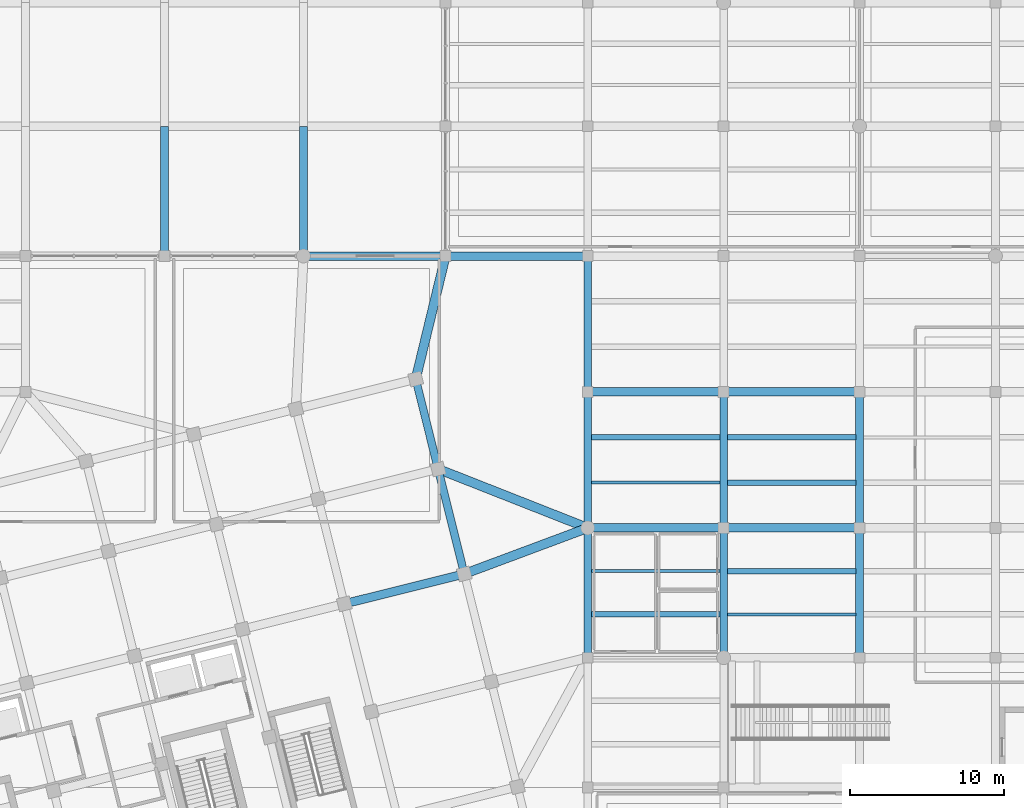
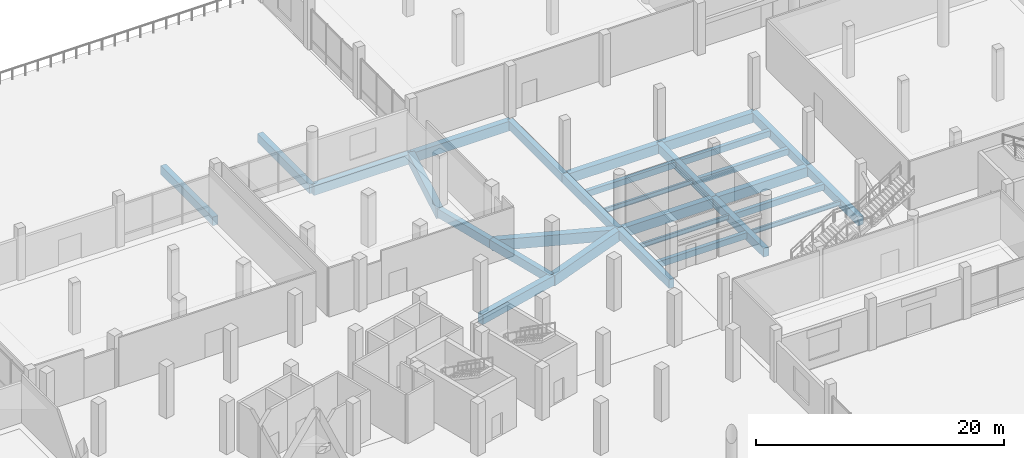
# One storey, part 34 of 73: 29 beams.
"""IFC4 building model written with IfcOpenShell, lengths in metres."""

from ifc_helpers import new_model, si_unit, direction, frame, origin, origin_2d, place, context, subcontext, project, spatial, rectangle, i_section, extrude, material, material_profile, profile_set, type_object, element, save


model = new_model("IFC4")

# Units and contexts
model_context = context("Model", 3, precision=1e-05, world=origin(), true_north=direction((0.0, 1.0)))
body_context = subcontext(model_context, "Body", "Model", "MODEL_VIEW")
ifc_project = project(units=[si_unit("LENGTHUNIT", "METRE"), si_unit("AREAUNIT", "SQUARE_METRE"), si_unit("VOLUMEUNIT", "CUBIC_METRE"), si_unit("PLANEANGLEUNIT", "RADIAN"), si_unit("MASSUNIT", "GRAM", prefix="KILO")], contexts=[model_context])

# Site, building, storey
site_placement = place(None, origin())
site = spatial("IfcSite", under=ifc_project, at=site_placement, CompositionType="ELEMENT")
building_placement = place(site_placement, origin())
building = spatial("IfcBuilding", under=site, at=building_placement, Name="Meriwether Solvik Hall", CompositionType="ELEMENT")
storey_placement = place(building_placement, origin())
storey = spatial("IfcBuildingStorey", under=building, at=storey_placement, Name="L00", CompositionType="ELEMENT", Elevation=0.0)

# Beams
ifc_material_1 = material(Name="Concrete C40/50", Category="concrete")
ifc_material_profile_1 = material_profile(ifc_material_1, rectangle(XDim=0.35009765625, YDim=0.60009765625, at=origin_2d()), Name="RCB-350X600")
ifc_profile_set_1 = profile_set([ifc_material_profile_1], Name="Concrete C40/50")
beam_type_1 = type_object("IfcBeamType", Name="BM-RC-350X600", PredefinedType="JOIST", material=ifc_profile_set_1)
for number, where, z_axis, x_axis, name in (
    (1, (114.445068359375, 69.60009765625, -0.659912109375), (1.0, 0.0, 0.0), (0.0, 1.0, 0.0), "Secondary Floor Joist 13/H_J1 (L00)"),
    (2, (114.445068359375, 81.066650390625, -0.659912109375), (1.0, 0.0, 0.0), (0.0, 1.0, 0.0), "Secondary Floor Joist 13/I_J2 (L00)"),
    (3, (123.2451171875, 72.39990234375, -0.659912109375), (1.0, 0.0, 0.0), (0.0, 1.0, 0.0), "Secondary Floor Joist 14/H_J2 (L00)"),
    (4, (123.2451171875, 78.13330078125, -0.659912109375), (1.0, 0.0, 0.0), (0.0, 1.0, 0.0), "Secondary Floor Joist 14/I_J1 (L00)"),
    (5, (123.2451171875, 81.066650390625, -0.659912109375), (1.0, 0.0, 0.0), (0.0, 1.0, 0.0), "Secondary Floor Joist 14/I_J2 (L00)"),
):
    element("IfcBeam", number, at=place(storey_placement, frame(where, z_axis=z_axis, x_axis=x_axis)), inside=storey, type_object=beam_type_1, Name=name, PredefinedType="JOIST", context=body_context, shape_type="SweptSolid", body=[
        extrude(rectangle(XDim=0.35009765625, YDim=0.60009765625, at=origin_2d()), origin(), (0.0, 0.0, 1.0), 8.309814453125),
    ])
ifc_material_2 = material(Name="Concrete C40/50", Category="concrete")
ifc_material_profile_2 = material_profile(ifc_material_2, rectangle(XDim=0.5, YDim=0.85009765625, at=origin_2d()), Name="RCB-500X850")
ifc_profile_set_2 = profile_set([ifc_material_profile_2], Name="Concrete C40/50")
beam_type_2 = type_object("IfcBeamType", Name="BM-RC-500X850", PredefinedType="BEAM", material=ifc_profile_set_2)
for number, where, z_axis, x_axis, name in (
    (6, (86.800048828125, 92.800048828125, -0.784912109375), (0.0, 1.0, 0.0), (-1.0, 0.0, 0.0), "Podium Girder 10:K-L (L00)"),
    (7, (95.800048828125, 92.800048828125, -0.784912109375), (0.0, 1.0, 0.0), (-1.0, 0.0, 0.0), "Podium Girder 11:K-L (L00)"),
    (8, (114.199951171875, 66.800048828125, -0.784912109375), (0.0, 1.0, 0.0), (-1.0, 0.0, 0.0), "Podium Girder 13:H-I (L00)"),
):
    element("IfcBeam", number, at=place(storey_placement, frame(where, z_axis=z_axis, x_axis=x_axis)), inside=storey, type_object=beam_type_2, Name=name, PredefinedType="BEAM", context=body_context, shape_type="SweptSolid", body=[
        extrude(rectangle(XDim=0.5, YDim=0.85009765625, at=origin_2d()), origin(), (0.0, 0.0, 1.0), 8.39990234375),
    ])
for number, where, z_axis, x_axis, name in (
    (9, (114.199951171875, 75.199951171875, -0.784912109375), (0.0, 1.0, 0.0), (-1.0, 0.0, 0.0), "Podium Girder 13:I-J (L00)"),
    (10, (114.199951171875, 84.0, -0.784912109375), (0.0, 1.0, 0.0), (-1.0, 0.0, 0.0), "Podium Girder 13:J-K (L00)"),
):
    element("IfcBeam", number, at=place(storey_placement, frame(where, z_axis=z_axis, x_axis=x_axis)), inside=storey, type_object=beam_type_2, Name=name, PredefinedType="BEAM", context=body_context, shape_type="SweptSolid", body=[
        extrude(rectangle(XDim=0.5, YDim=0.85009765625, at=origin_2d()), origin(), (0.0, 0.0, 1.0), 8.800048828125),
    ])
beam_1_placement = place(storey_placement, frame((123.0, 66.800048828125, -0.784912109375), z_axis=(0.0, 1.0, 0.0), x_axis=(-1.0, 0.0, 0.0)))
element("IfcBeam", 11, at=beam_1_placement, inside=storey, type_object=beam_type_2, Name="Podium Girder 14:H-I (L00)", PredefinedType="BEAM", context=body_context, shape_type="SweptSolid", body=[
    extrude(rectangle(XDim=0.5, YDim=0.85009765625, at=origin_2d()), origin(), (0.0, 0.0, 1.0), 8.39990234375),
])
beam_2_placement = place(storey_placement, frame((123.0, 75.199951171875, -0.784912109375), z_axis=(0.0, 1.0, 0.0), x_axis=(-1.0, 0.0, 0.0)))
element("IfcBeam", 12, at=beam_2_placement, inside=storey, type_object=beam_type_2, Name="Podium Girder 14:I-J (L00)", PredefinedType="BEAM", context=body_context, shape_type="SweptSolid", body=[
    extrude(rectangle(XDim=0.5, YDim=0.85009765625, at=origin_2d()), origin(), (0.0, 0.0, 1.0), 8.800048828125),
])
beam_3_placement = place(storey_placement, frame((131.800048828125, 66.800048828125, -0.784912109375), z_axis=(0.0, 1.0, 0.0), x_axis=(-1.0, 0.0, 0.0)))
element("IfcBeam", 13, at=beam_3_placement, inside=storey, type_object=beam_type_2, Name="Podium Girder 15:H-I (L00)", PredefinedType="BEAM", context=body_context, shape_type="SweptSolid", body=[
    extrude(rectangle(XDim=0.5, YDim=0.85009765625, at=origin_2d()), origin(), (0.0, 0.0, 1.0), 8.39990234375),
])
beam_4_placement = place(storey_placement, frame((131.800048828125, 75.199951171875, -0.784912109375), z_axis=(0.0, 1.0, 0.0), x_axis=(-1.0, 0.0, 0.0)))
element("IfcBeam", 14, at=beam_4_placement, inside=storey, type_object=beam_type_2, Name="Podium Girder 15:I-J (L00)", PredefinedType="BEAM", context=body_context, shape_type="SweptSolid", body=[
    extrude(rectangle(XDim=0.5, YDim=0.85009765625, at=origin_2d()), origin(), (0.0, 0.0, 1.0), 8.800048828125),
])
beam_5_placement = place(storey_placement, frame((106.212646484375, 72.220703125, -0.784912109375), z_axis=(-0.241903692719, 0.970300264582, 0.0), x_axis=(-0.970300264582, -0.241903692719, 0.0)))
element("IfcBeam", 15, at=beam_5_placement, inside=storey, type_object=beam_type_2, Name="Tower Girder T7:TD-TE (L00)", PredefinedType="BEAM", context=body_context, shape_type="SweptSolid", body=[
    extrude(rectangle(XDim=0.5, YDim=0.85009765625, at=origin_2d()), origin(), (0.0, 0.0, 1.0), 7.000244140625),
])
beam_6_placement = place(storey_placement, frame((104.519287109375, 79.012939453125, -0.784912109375), z_axis=(-0.241941986192, 0.970290716908, 0.0), x_axis=(-0.970290716908, -0.241941986192, 0.0)))
element("IfcBeam", 16, at=beam_6_placement, inside=storey, type_object=beam_type_2, Name="Tower Girder T7:TE-TF (L00)", PredefinedType="BEAM", context=body_context, shape_type="SweptSolid", body=[
    extrude(rectangle(XDim=0.5, YDim=0.85009765625, at=origin_2d()), origin(), (0.0, 0.0, 1.0), 6.0),
])
ifc_material_3 = material(Name="Concrete C40/50", Category="concrete")
ifc_material_profile_3 = material_profile(ifc_material_3, rectangle(XDim=0.550048828125, YDim=0.949951171875, at=origin_2d()), Name="RCB-550X950")
ifc_profile_set_3 = profile_set([ifc_material_profile_3], Name="Concrete C40/50")
beam_type_3 = type_object("IfcBeamType", Name="BM-RC-550X950", PredefinedType="BEAM", material=ifc_profile_set_3)
for number, where, z_axis, x_axis, name in (
    (17, (114.199951171875, 75.199951171875, -0.8349609375), (1.0, 0.0, 0.0), (0.0, 1.0, 0.0), "Podium Girder I:13-14 (L00)"),
    (18, (123.0, 75.199951171875, -0.8349609375), (1.0, 0.0, 0.0), (0.0, 1.0, 0.0), "Podium Girder I:14-15 (L00)"),
    (19, (114.199951171875, 84.0, -0.8349609375), (1.0, 0.0, 0.0), (0.0, 1.0, 0.0), "Podium Girder J:13-14 (L00)"),
    (20, (123.0, 84.0, -0.8349609375), (1.0, 0.0, 0.0), (0.0, 1.0, 0.0), "Podium Girder J:14-15 (L00)"),
):
    element("IfcBeam", number, at=place(storey_placement, frame(where, z_axis=z_axis, x_axis=x_axis)), inside=storey, type_object=beam_type_3, Name=name, PredefinedType="BEAM", context=body_context, shape_type="SweptSolid", body=[
        extrude(rectangle(XDim=0.550048828125, YDim=0.949951171875, at=origin_2d()), origin(), (0.0, 0.0, 1.0), 8.800048828125),
    ])
for number, where, z_axis, x_axis, name in (
    (21, (95.800048828125, 92.800048828125, -0.8349609375), (1.0, 0.0, 0.0), (0.0, 1.0, 0.0), "Podium Girder K:11-12 (L00)"),
    (22, (105.0, 92.800048828125, -0.8349609375), (1.0, 0.0, 0.0), (0.0, 1.0, 0.0), "Podium Girder K:12-13 (L00)"),
):
    element("IfcBeam", number, at=place(storey_placement, frame(where, z_axis=z_axis, x_axis=x_axis)), inside=storey, type_object=beam_type_3, Name=name, PredefinedType="BEAM", context=body_context, shape_type="SweptSolid", body=[
        extrude(rectangle(XDim=0.550048828125, YDim=0.949951171875, at=origin_2d()), origin(), (0.0, 0.0, 1.0), 9.199951171875),
    ])
beam_7_placement = place(storey_placement, frame((98.4501953125, 70.285400390625, -0.8349609375), z_axis=(0.970298475929, 0.241910867076, 0.0), x_axis=(-0.241910867076, 0.970298475929, 0.0)))
element("IfcBeam", 23, at=beam_7_placement, inside=storey, type_object=beam_type_3, Name="Tower Girder TD:T6-T7 (L00)", PredefinedType="BEAM", context=body_context, shape_type="SweptSolid", body=[
    extrude(rectangle(XDim=0.550048828125, YDim=0.949951171875, at=origin_2d()), origin(), (0.0, 0.0, 1.0), 8.0),
])
ifc_material_4 = material(Name="Concrete C40/50", Category="concrete")
ifc_material_profile_4 = material_profile(ifc_material_4, rectangle(XDim=0.60009765625, YDim=1.050048828125, at=origin_2d()), Name="RCB-600X1050")
ifc_profile_set_4 = profile_set([ifc_material_profile_4], Name="Concrete C40/50")
beam_type_4 = type_object("IfcBeamType", Name="BM-RC-600X1050", PredefinedType="BEAM", material=ifc_profile_set_4)
beam_8_placement = place(storey_placement, frame((106.212646484375, 72.220703125, -0.885009765625), z_axis=(0.93694444662, 0.349478331156, 0.0), x_axis=(-0.349478331156, 0.93694444662, 0.0)))
element("IfcBeam", 24, at=beam_8_placement, inside=storey, type_object=beam_type_4, Name="Diaphragm Collector Girder T7/TD-13/I (L00)", PredefinedType="BEAM", context=body_context, shape_type="SweptSolid", body=[
    extrude(rectangle(XDim=0.60009765625, YDim=1.050048828125, at=origin_2d()), origin(), (0.0, 0.0, 1.0), 8.52490234375),
])
beam_9_placement = place(storey_placement, frame((104.519287109375, 79.012939453125, -0.885009765625), z_axis=(0.930428275018, -0.366474044165, 0.0), x_axis=(0.366474044165, 0.930428275018, 0.0)))
element("IfcBeam", 25, at=beam_9_placement, inside=storey, type_object=beam_type_4, Name="Diaphragm Collector Girder T7/TE-13/I (L00)", PredefinedType="BEAM", context=body_context, shape_type="SweptSolid", body=[
    extrude(rectangle(XDim=0.60009765625, YDim=1.050048828125, at=origin_2d()), origin(), (0.0, 0.0, 1.0), 10.404541015625),
])
beam_10_placement = place(storey_placement, frame((103.067626953125, 84.834716796875, -0.885009765625), z_axis=(0.235759443043, 0.971811445197, 0.0), x_axis=(-0.971811445197, 0.235759443043, 0.0)))
element("IfcBeam", 26, at=beam_10_placement, inside=storey, type_object=beam_type_4, Name="Diaphragm Collector Girder T7/TF-12/K (L00)", PredefinedType="BEAM", context=body_context, shape_type="SweptSolid", body=[
    extrude(rectangle(XDim=0.60009765625, YDim=1.050048828125, at=origin_2d()), origin(), (0.0, 0.0, 1.0), 8.1962890625),
])
ifc_material_5 = material(Name="Steel A992 Grade 50", Category="steel")
ifc_material_profile_5 = material_profile(ifc_material_5, i_section(OverallWidth=0.19091796875, OverallDepth=0.45703125, WebThickness=0.009033203125, FlangeThickness=0.014404296875, at=origin_2d()), Name="W18X50")
ifc_profile_set_5 = profile_set([ifc_material_profile_5], Name="Steel A992 Grade 50")
beam_type_5 = type_object("IfcBeamType", Name="BM-STL-W18X50", PredefinedType="JOIST", material=ifc_profile_set_5)
for number, where, z_axis, x_axis, name in (
    (27, (114.445068359375, 72.39990234375, -0.58837890625), (1.0, 0.0, 0.0), (0.0, 1.0, 0.0), "Secondary Floor Joist 13/H_J2 (L00)"),
    (28, (114.445068359375, 78.13330078125, -0.58837890625), (1.0, 0.0, 0.0), (0.0, 1.0, 0.0), "Secondary Floor Joist 13/I_J1 (L00)"),
    (29, (123.2451171875, 69.60009765625, -0.58837890625), (1.0, 0.0, 0.0), (0.0, 1.0, 0.0), "Secondary Floor Joist 14/H_J1 (L00)"),
):
    element("IfcBeam", number, at=place(storey_placement, frame(where, z_axis=z_axis, x_axis=x_axis)), inside=storey, type_object=beam_type_5, Name=name, PredefinedType="JOIST", context=body_context, shape_type="SweptSolid", body=[
        extrude(i_section(OverallWidth=0.19091796875, OverallDepth=0.45703125, WebThickness=0.009033203125, FlangeThickness=0.014404296875, at=origin_2d()), origin(), (0.0, 0.0, 1.0), 8.309814453125),
    ])

save(model, "model.ifc")
